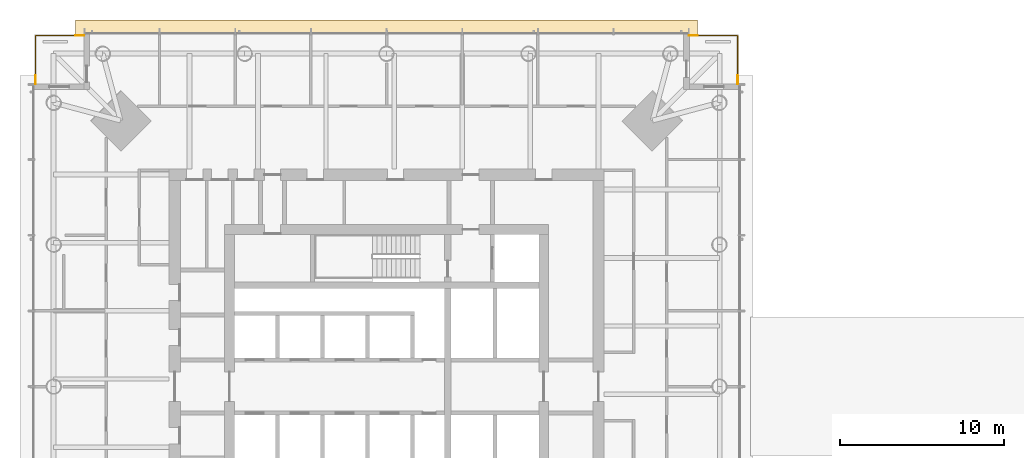
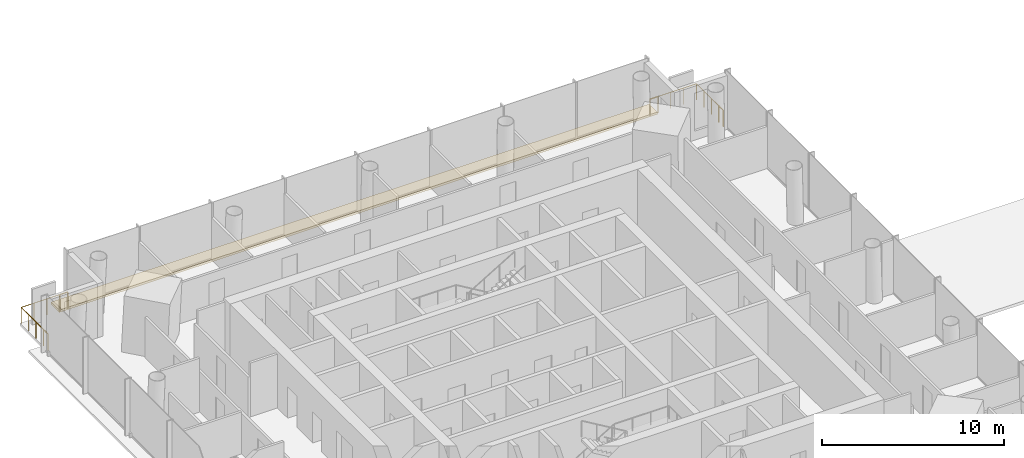
# One storey, part 16 of 16: 6 railings, 1 covering.
"""IFC4 building model written with IfcOpenShell, lengths in metres."""

from ifc_helpers import new_model, si_unit, direction, frame, origin, origin_2d, place, context, subcontext, project, spatial, polyline, circle, outline, extrude, material, layer, layer_set, type_object, element, save


model = new_model("IFC4")

# Units and contexts
model_context = context("Model", 3, precision=1e-05, world=origin(), true_north=direction((0.0, 1.0)))
body_context = subcontext(model_context, "Body", "Model", "MODEL_VIEW")
ifc_project = project(units=[si_unit("LENGTHUNIT", "METRE"), si_unit("AREAUNIT", "SQUARE_METRE"), si_unit("VOLUMEUNIT", "CUBIC_METRE"), si_unit("PLANEANGLEUNIT", "RADIAN"), si_unit("MASSUNIT", "GRAM", prefix="KILO")], contexts=[model_context])

# Site, building, storey
site_placement = place(None, origin())
site = spatial("IfcSite", under=ifc_project, at=site_placement, CompositionType="ELEMENT")
building_placement = place(site_placement, origin())
building = spatial("IfcBuilding", under=site, at=building_placement, Name="Ostroluk Exchange", CompositionType="ELEMENT")
storey_placement = place(building_placement, frame((0.0, 0.0, 135.0)))
storey = spatial("IfcBuildingStorey", under=building, at=storey_placement, Name="L34", CompositionType="ELEMENT", Elevation=135.0)

# Railings
ifc_material_1 = material(Name="Stainless steel", Category="steel")
railing_type_1 = type_object("IfcRailingType", Name="Guard 1100 stainless steel", PredefinedType="GUARDRAIL", material=ifc_material_1)
railing_1_placement = place(storey_placement, frame((64.0, 67.449951171875, 0.0)))
element("IfcRailing", 1, at=railing_1_placement, inside=storey, type_object=railing_type_1, Name="Office tower NE balcony guard L34", PredefinedType="GUARDRAIL", context=body_context, shape_type="SweptSolid", body=[
    extrude(circle(Radius=0.02392578125, at=origin_2d()), frame((0.0, 0.0, 1.076171875), z_axis=(1.0, 0.0, 0.0), x_axis=(0.0, 1.0, 0.0)), (0.0, 0.0, 1.0), 2.449951171875),
    extrude(circle(Radius=0.02392578125, at=origin_2d()), frame((2.449951171875, 0.0, 1.076171875), z_axis=(0.0, -1.0, 0.0), x_axis=(1.0, 0.0, 0.0)), (0.0, 0.0, 1.0), 2.449951171875),
    extrude(circle(Radius=0.02099609375, at=origin_2d()), origin(), (0.0, 0.0, 1.0), 1.052001953125),
    extrude(circle(Radius=0.02099609375, at=origin_2d()), frame((0.816650390625, 0.0, 0.0)), (0.0, 0.0, 1.0), 1.052001953125),
    extrude(circle(Radius=0.02099609375, at=origin_2d()), frame((1.63330078125, 0.0, 0.0)), (0.0, 0.0, 1.0), 1.052001953125),
    extrude(circle(Radius=0.02099609375, at=origin_2d()), frame((2.449951171875, 0.0, 0.0)), (0.0, 0.0, 1.0), 1.052001953125),
    extrude(circle(Radius=0.02099609375, at=origin_2d()), frame((2.449951171875, -0.816650390625, 0.0)), (0.0, 0.0, 1.0), 1.052001953125),
    extrude(circle(Radius=0.02099609375, at=origin_2d()), frame((2.449951171875, -1.63330078125, 0.0)), (0.0, 0.0, 1.0), 1.052001953125),
    extrude(circle(Radius=0.02099609375, at=origin_2d()), frame((2.449951171875, -2.449951171875, 0.0)), (0.0, 0.0, 1.0), 1.052001953125),
])
railing_2_placement = place(storey_placement, frame((26.0, 67.449951171875, 0.0)))
element("IfcRailing", 2, at=railing_2_placement, inside=storey, type_object=railing_type_1, Name="Office tower NW balcony guard L34", PredefinedType="GUARDRAIL", context=body_context, shape_type="SweptSolid", body=[
    extrude(circle(Radius=0.02392578125, at=origin_2d()), frame((0.0, 0.0, 1.076171875), z_axis=(-1.0, 0.0, 0.0), x_axis=(0.0, -1.0, 0.0)), (0.0, 0.0, 1.0), 2.449951171875),
    extrude(circle(Radius=0.02392578125, at=origin_2d()), frame((-2.449951171875, 0.0, 1.076171875), z_axis=(0.0, -1.0, 0.0), x_axis=(1.0, 0.0, 0.0)), (0.0, 0.0, 1.0), 2.449951171875),
    extrude(circle(Radius=0.02099609375, at=origin_2d()), origin(), (0.0, 0.0, 1.0), 1.052001953125),
    extrude(circle(Radius=0.02099609375, at=origin_2d()), frame((-0.816650390625, 0.0, 0.0)), (0.0, 0.0, 1.0), 1.052001953125),
    extrude(circle(Radius=0.02099609375, at=origin_2d()), frame((-1.63330078125, 0.0, 0.0)), (0.0, 0.0, 1.0), 1.052001953125),
    extrude(circle(Radius=0.02099609375, at=origin_2d()), frame((-2.449951171875, 0.0, 0.0)), (0.0, 0.0, 1.0), 1.052001953125),
    extrude(circle(Radius=0.02099609375, at=origin_2d()), frame((-2.449951171875, -0.816650390625, 0.0)), (0.0, 0.0, 1.0), 1.052001953125),
    extrude(circle(Radius=0.02099609375, at=origin_2d()), frame((-2.449951171875, -1.63330078125, 0.0)), (0.0, 0.0, 1.0), 1.052001953125),
    extrude(circle(Radius=0.02099609375, at=origin_2d()), frame((-2.449951171875, -2.449951171875, 0.0)), (0.0, 0.0, 1.0), 1.052001953125),
])
ifc_material_2 = material(Name="Stainless steel", Category="steel")
railing_type_2 = type_object("IfcRailingType", Name="Lockable maintenance gate 1100", PredefinedType="GUARDRAIL", material=ifc_material_2)
railing_3_placement = place(storey_placement, frame((63.5, 67.449951171875, 0.0)))
element("IfcRailing", 3, at=railing_3_placement, inside=storey, type_object=railing_type_2, Name="Lockable maintenance gate T1 L34 NE", PredefinedType="GUARDRAIL", context=body_context, shape_type="SweptSolid", body=[
    extrude(circle(Radius=0.02392578125, at=origin_2d()), frame((0.0, 0.0, 1.076171875), z_axis=(1.0, 0.0, 0.0), x_axis=(0.0, 1.0, 0.0)), (0.0, 0.0, 1.0), 0.5),
    extrude(circle(Radius=0.02099609375, at=origin_2d()), origin(), (0.0, 0.0, 1.0), 1.052001953125),
    extrude(circle(Radius=0.02099609375, at=origin_2d()), frame((0.5, 0.0, 0.0)), (0.0, 0.0, 1.0), 1.052001953125),
])
railing_4_placement = place(storey_placement, frame((66.449951171875, 65.0, 0.0)))
element("IfcRailing", 4, at=railing_4_placement, inside=storey, type_object=railing_type_2, Name="Lockable maintenance gate T1 L34 NE", PredefinedType="GUARDRAIL", context=body_context, shape_type="SweptSolid", body=[
    extrude(circle(Radius=0.02392578125, at=origin_2d()), frame((0.0, 0.0, 1.076171875), z_axis=(0.0, -1.0, 0.0), x_axis=(1.0, 0.0, 0.0)), (0.0, 0.0, 1.0), 0.5),
    extrude(circle(Radius=0.02099609375, at=origin_2d()), origin(), (0.0, 0.0, 1.0), 1.052001953125),
    extrude(circle(Radius=0.02099609375, at=origin_2d()), frame((0.0, -0.5, 0.0)), (0.0, 0.0, 1.0), 1.052001953125),
])
railing_5_placement = place(storey_placement, frame((26.5, 67.449951171875, 0.0)))
element("IfcRailing", 5, at=railing_5_placement, inside=storey, type_object=railing_type_2, Name="Lockable maintenance gate T1 L34 NW", PredefinedType="GUARDRAIL", context=body_context, shape_type="SweptSolid", body=[
    extrude(circle(Radius=0.02392578125, at=origin_2d()), frame((0.0, 0.0, 1.076171875), z_axis=(-1.0, 0.0, 0.0), x_axis=(0.0, -1.0, 0.0)), (0.0, 0.0, 1.0), 0.5),
    extrude(circle(Radius=0.02099609375, at=origin_2d()), origin(), (0.0, 0.0, 1.0), 1.052001953125),
    extrude(circle(Radius=0.02099609375, at=origin_2d()), frame((-0.5, 0.0, 0.0)), (0.0, 0.0, 1.0), 1.052001953125),
])
railing_6_placement = place(storey_placement, frame((23.550048828125, 65.0, 0.0)))
element("IfcRailing", 6, at=railing_6_placement, inside=storey, type_object=railing_type_2, Name="Lockable maintenance gate T1 L34 NW", PredefinedType="GUARDRAIL", context=body_context, shape_type="SweptSolid", body=[
    extrude(circle(Radius=0.02392578125, at=origin_2d()), frame((0.0, 0.0, 1.076171875), z_axis=(0.0, -1.0, 0.0), x_axis=(1.0, 0.0, 0.0)), (0.0, 0.0, 1.0), 0.5),
    extrude(circle(Radius=0.02099609375, at=origin_2d()), origin(), (0.0, 0.0, 1.0), 1.052001953125),
    extrude(circle(Radius=0.02099609375, at=origin_2d()), frame((0.0, -0.5, 0.0)), (0.0, 0.0, 1.0), 1.052001953125),
])

# Covering
ifc_material_3 = material(Name="Insulated steel roof deck with membrane, laid to falls, aluminium coping", Category="steel")
ifc_layer = layer(ifc_material_3, 0.14990234375)
ifc_layer_set = layer_set([ifc_layer], Name="Setback maintenance roof")
covering_type = type_object("IfcCoveringType", Name="Setback maintenance roof", PredefinedType="ROOFING", material=ifc_layer_set)
covering_placement = place(storey_placement, frame((0.0, 0.0, -0.14990234375)))
element("IfcCovering", 7, at=covering_placement, inside=storey, type_object=covering_type, Name="Maintenance roof, setback L34 north", PredefinedType="ROOFING", context=body_context, shape_type="SweptSolid", body=[
    extrude(outline(polyline([(26.0, 68.39990234375), (64.0, 68.39990234375), (64.0, 67.5), (26.0, 67.5), (26.0, 68.39990234375)])), origin(), (0.0, 0.0, 1.0), 0.14990234375),
])

save(model, "model.ifc")
